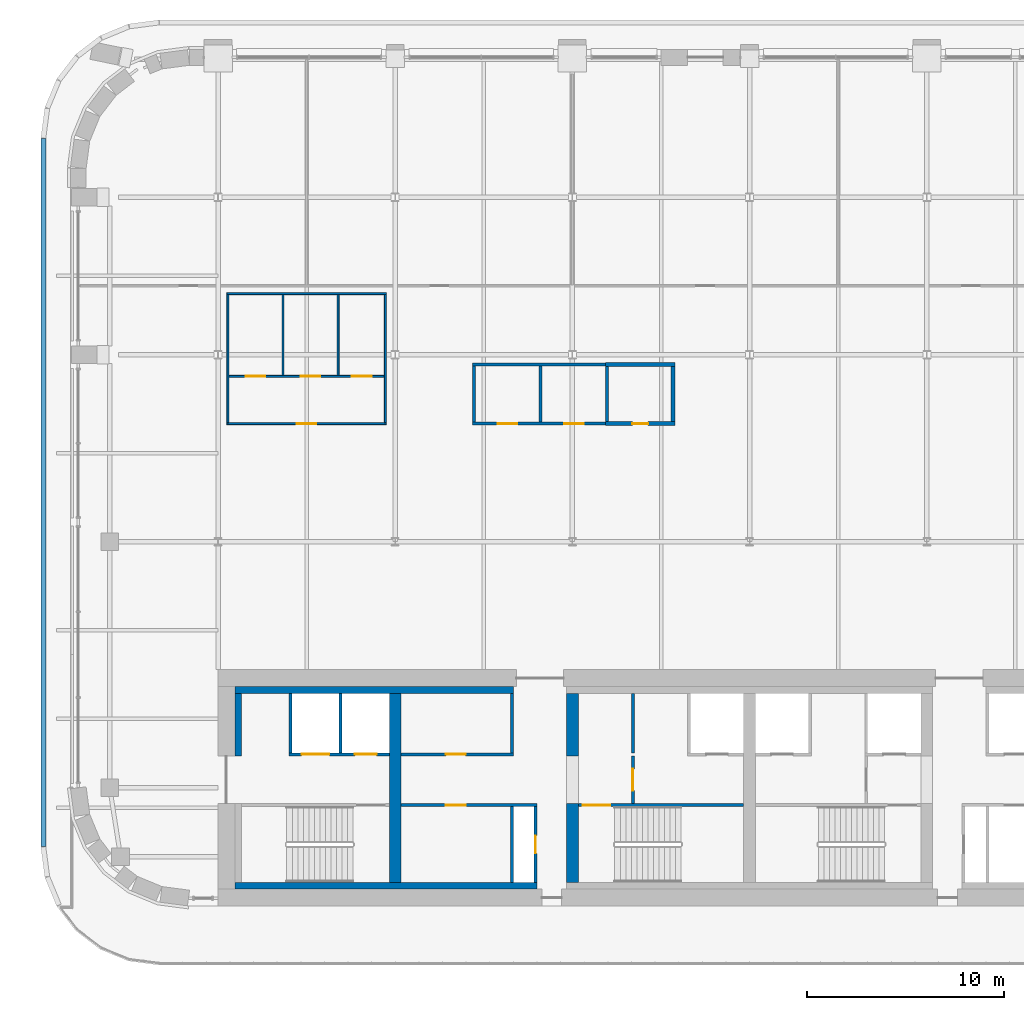
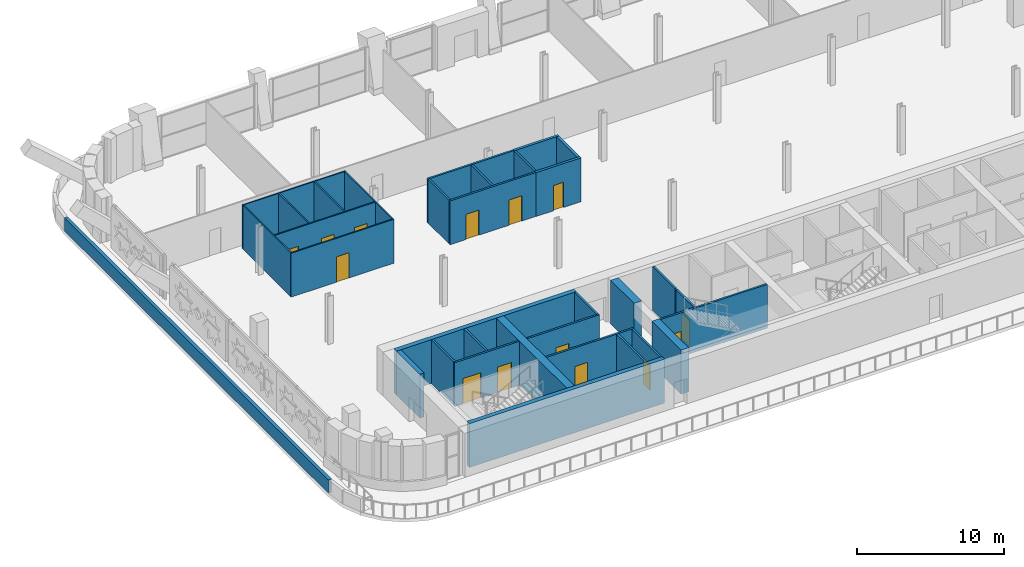
# One storey, part 13 of 23: 33 walls, 14 doors, 14 openings.
"""IFC4 building model written with IfcOpenShell, lengths in metres."""

from ifc_helpers import new_model, si_unit, direction, frame, frame_2d, origin, place, context, subcontext, project, spatial, rectangle, extrude, material, layer, layer_set, type_object, element, fill, save


model = new_model("IFC4")

# Units and contexts
model_context = context("Model", 3, precision=1e-05, world=origin(), true_north=direction((0.0, 1.0)))
body_context = subcontext(model_context, "Body", "Model", "MODEL_VIEW")
ifc_project = project(units=[si_unit("LENGTHUNIT", "METRE"), si_unit("AREAUNIT", "SQUARE_METRE"), si_unit("VOLUMEUNIT", "CUBIC_METRE"), si_unit("PLANEANGLEUNIT", "RADIAN"), si_unit("MASSUNIT", "GRAM", prefix="KILO")], contexts=[model_context])

# Site, building, storey
site_placement = place(None, origin())
site = spatial("IfcSite", under=ifc_project, at=site_placement, CompositionType="ELEMENT")
building_placement = place(site_placement, origin())
building = spatial("IfcBuilding", under=site, at=building_placement, Name="Zellij Exchange Tower", CompositionType="ELEMENT")
storey_placement = place(building_placement, frame((0.0, 0.0, 212.5)))
storey = spatial("IfcBuildingStorey", under=building, at=storey_placement, Name="L49", CompositionType="ELEMENT", Elevation=212.5)

# Walls
ifc_material_1 = material(Name="Concrete C60/75", Category="concrete")
ifc_layer_1 = layer(ifc_material_1, 0.60009765625)
ifc_layer_set_1 = layer_set([ifc_layer_1], Name="Concrete C60/75")
wall_type_1 = type_object("IfcWallType", Name="CORE-CW 600 C60/75", PredefinedType="SHEAR", material=ifc_layer_set_1)
wall_1_placement = place(storey_placement, frame((-18.0, -12.800048828125, 0.0), z_axis=(0.0, 0.0, 1.0), x_axis=(0.0, 1.0, 0.0)))
element("IfcWall", 1, at=wall_1_placement, inside=storey, type_object=wall_type_1, Name="Core cross wall x -18 L49", PredefinedType="SHEAR", context=body_context, shape_type="SweptSolid", body=[
    extrude(rectangle(XDim=9.60009765625, YDim=0.60009765625, at=frame_2d((4.800048828125, 0.0))), origin(), (0.0, 0.0, 1.0), 3.64990234375),
])
wall_2_placement = place(storey_placement, frame((-9.0, -12.800048828125, 0.0), z_axis=(0.0, 0.0, 1.0), x_axis=(0.0, 1.0, 0.0)))
element("IfcWall", 2, at=wall_2_placement, inside=storey, type_object=wall_type_1, Name="Core cross wall pier x -9 a L49", PredefinedType="SHEAR", context=body_context, shape_type="SweptSolid", body=[
    extrude(rectangle(XDim=4.0, YDim=0.60009765625, at=frame_2d((2.0, 0.0))), origin(), (0.0, 0.0, 1.0), 3.64990234375),
])
wall_3_placement = place(storey_placement, frame((-9.0, -6.375, 0.0), z_axis=(0.0, 0.0, 1.0), x_axis=(0.0, 1.0, 0.0)))
element("IfcWall", 3, at=wall_3_placement, inside=storey, type_object=wall_type_1, Name="Core cross wall pier x -9 b L49", PredefinedType="SHEAR", context=body_context, shape_type="SweptSolid", body=[
    extrude(rectangle(XDim=3.175048828125, YDim=0.60009765625, at=frame_2d((1.58740234375, 0.0))), origin(), (0.0, 0.0, 1.0), 3.64990234375),
])
ifc_material_2 = material(Name="Concrete C30/37", Category="concrete")
ifc_layer_2 = layer(ifc_material_2, 0.35009765625)
ifc_layer_set_2 = layer_set([ifc_layer_2], Name="Concrete C30/37")
wall_type_2 = type_object("IfcWallType", Name="CORE-LW 350 C30/37", PredefinedType="SHEAR", material=ifc_layer_set_2)
wall_4_placement = place(storey_placement, frame((-26.14990234375, -3.02490234375, 0.0), z_axis=(0.0, 0.0, 1.0), x_axis=(1.0, 0.0, 0.0)))
element("IfcWall", 4, at=wall_4_placement, inside=storey, type_object=wall_type_2, Name="Core wall lining front.0 L49", PredefinedType="SHEAR", context=body_context, shape_type="SweptSolid", body=[
    extrude(rectangle(XDim=14.14990234375, YDim=0.35009765625, at=frame_2d((7.074951171875, 0.0))), origin(), (0.0, 0.0, 1.0), 3.64990234375),
])
wall_5_placement = place(storey_placement, frame((-26.14990234375, -12.97509765625, 0.0), z_axis=(0.0, 0.0, 1.0), x_axis=(1.0, 0.0, 0.0)))
element("IfcWall", 5, at=wall_5_placement, inside=storey, type_object=wall_type_2, Name="Core wall lining rear.0 L49", PredefinedType="SHEAR", context=body_context, shape_type="SweptSolid", body=[
    extrude(rectangle(XDim=15.349853515625, YDim=0.35009765625, at=frame_2d((7.6748046875, 0.0))), origin(), (0.0, 0.0, 1.0), 3.64990234375),
])
wall_6_placement = place(storey_placement, frame((-25.97509765625, -6.375, 0.0), z_axis=(0.0, 0.0, 1.0), x_axis=(0.0, 1.0, 0.0)))
element("IfcWall", 6, at=wall_6_placement, inside=storey, type_object=wall_type_2, Name="Core wall lining end w.1 L49", PredefinedType="SHEAR", context=body_context, shape_type="SweptSolid", body=[
    extrude(rectangle(XDim=3.175048828125, YDim=0.35009765625, at=frame_2d((1.58740234375, 0.0))), origin(), (0.0, 0.0, 1.0), 3.64990234375),
])

# Wall, opening, door
ifc_material_3 = material(Name="Gypsum shaft wall system")
ifc_layer_3 = layer(ifc_material_3, 0.14990234375)
ifc_layer_set_3 = layer_set([ifc_layer_3], Name="Gypsum shaft wall system")
wall_type_3 = type_object("IfcWallType", Name="CORE-PW 150 Firefighting lobby wall", PredefinedType="PARTITIONING", material=ifc_layer_set_3)
wall_7_placement = place(storey_placement, frame((-5.925048828125, -8.800048828125, 0.0), z_axis=(0.0, 0.0, 1.0), x_axis=(0.0, 1.0, 0.0)))
wall_7 = element("IfcWall", 7, at=wall_7_placement, inside=storey, type_object=wall_type_3, Name="Firefighting lobby wall L49", PredefinedType="PARTITIONING", context=body_context, shape_type="SweptSolid", body=[
    extrude(rectangle(XDim=2.425048828125, YDim=0.14990234375, at=frame_2d((1.21240234375, 0.0))), origin(), (0.0, 0.0, 1.0), 3.64990234375),
])
opening_1_placement = place(wall_7_placement, frame((0.662109375, 0.0, 0.0)))
opening_1 = element("IfcOpeningElement", 8, at=opening_1_placement, cuts=wall_7, Name="Opening CA-26.11", PredefinedType="OPENING", context=body_context, shape_type="SweptSolid", body=[
    extrude(rectangle(XDim=1.10009765625, YDim=2.10009765625, at=frame_2d((0.550048828125, 1.050048828125))), frame((0.0, 0.0869140625, 0.0), z_axis=(0.0, -1.0, 0.0), x_axis=(1.0, 0.0, 0.0)), (0.0, 0.0, 1.0), 0.173828125),
])
ifc_material_4 = material(Name="Hollow metal fire door")
door_type_1 = type_object("IfcDoorType", Name="CORE-D F Firefighting lobby door 1100x2100 1 HR", OperationType="NOTDEFINED", PredefinedType="DOOR", material=ifc_material_4)
door_1_placement = place(opening_1_placement, origin())
door_1 = element("IfcDoor", 9, at=door_1_placement, inside=storey, type_object=door_type_1, Name="Firefighting lobby door CA-26.11", OperationType="SINGLE_SWING_LEFT", OverallHeight=2.10009765625, OverallWidth=1.10009765625, PredefinedType="DOOR", context=body_context, shape_type="SweptSolid", body=[
    extrude(rectangle(XDim=1.10009765625, YDim=2.10009765625, at=frame_2d((0.550048828125, 1.050048828125))), frame((0.0, 0.02490234375, 0.0), z_axis=(0.0, -1.0, 0.0), x_axis=(1.0, 0.0, 0.0)), (0.0, 0.0, 1.0), 0.050048828125),
])
fill(opening_1, door_1)

# Walls
ifc_material_5 = material(Name="Gypsum board partition")
ifc_layer_4 = layer(ifc_material_5, 0.14990234375)
ifc_layer_set_4 = layer_set([ifc_layer_4], Name="Gypsum board partition")
wall_type_4 = type_object("IfcWallType", Name="CORE-PW 150 Lift lobby wall", PredefinedType="PARTITIONING", material=ifc_layer_set_4)
for number, where, z_axis, x_axis, name in (
    (10, (-12.074951171875, -6.22509765625, 0.0), (0.0, 0.0, 1.0), (0.0, 1.0, 0.0), "Lift lobby wall L49"),
    (11, (-5.925048828125, -6.22509765625, 0.0), (0.0, 0.0, 1.0), (0.0, 1.0, 0.0), "Lift lobby wall L49"),
):
    element("IfcWall", number, at=place(storey_placement, frame(where, z_axis=z_axis, x_axis=x_axis)), inside=storey, type_object=wall_type_4, Name=name, PredefinedType="PARTITIONING", context=body_context, shape_type="SweptSolid", body=[
        extrude(rectangle(XDim=3.025146484375, YDim=0.14990234375, at=frame_2d((1.5126953125, 0.0))), origin(), (0.0, 0.0, 1.0), 3.64990234375),
    ])

# Wall, opening, door
wall_8_placement = place(storey_placement, frame((-10.875, -12.800048828125, 0.0), z_axis=(0.0, 0.0, 1.0), x_axis=(0.0, 1.0, 0.0)))
wall_8 = element("IfcWall", 12, at=wall_8_placement, inside=storey, type_object=wall_type_4, Name="Lift lobby wall L49", PredefinedType="PARTITIONING", context=body_context, shape_type="SweptSolid", body=[
    extrude(rectangle(XDim=3.85009765625, YDim=0.14990234375, at=frame_2d((1.925048828125, 0.0))), origin(), (0.0, 0.0, 1.0), 3.64990234375),
])
opening_2_placement = place(wall_8_placement, frame((1.47509765625, 0.0, 0.0)))
opening_2 = element("IfcOpeningElement", 13, at=opening_2_placement, cuts=wall_8, Name="Opening CA-26.07", PredefinedType="OPENING", context=body_context, shape_type="SweptSolid", body=[
    extrude(rectangle(XDim=0.89990234375, YDim=2.10009765625, at=frame_2d((0.449951171875, 1.050048828125))), frame((0.0, 0.0869140625, 0.0), z_axis=(0.0, -1.0, 0.0), x_axis=(1.0, 0.0, 0.0)), (0.0, 0.0, 1.0), 0.173828125),
])
door_type_2 = type_object("IfcDoorType", Name="CORE-D RD Riser door 900x2100 1.5 HR", OperationType="NOTDEFINED", PredefinedType="DOOR", material=ifc_material_4)
door_2_placement = place(opening_2_placement, origin())
door_2 = element("IfcDoor", 14, at=door_2_placement, inside=storey, type_object=door_type_2, Name="Riser door CA-26.07", OperationType="SINGLE_SWING_RIGHT", OverallHeight=2.10009765625, OverallWidth=0.89990234375, PredefinedType="DOOR", context=body_context, shape_type="SweptSolid", body=[
    extrude(rectangle(XDim=0.89990234375, YDim=2.10009765625, at=frame_2d((0.449951171875, 1.050048828125))), frame((0.0, 0.02490234375, 0.0), z_axis=(0.0, -1.0, 0.0), x_axis=(1.0, 0.0, 0.0)), (0.0, 0.0, 1.0), 0.050048828125),
])
fill(opening_2, door_2)

# Wall
wall_9_placement = place(storey_placement, frame((-12.074951171875, -12.800048828125, 0.0), z_axis=(0.0, 0.0, 1.0), x_axis=(0.0, 1.0, 0.0)))
element("IfcWall", 15, at=wall_9_placement, inside=storey, type_object=wall_type_4, Name="Lift lobby wall L49", PredefinedType="PARTITIONING", context=body_context, shape_type="SweptSolid", body=[
    extrude(rectangle(XDim=3.85009765625, YDim=0.14990234375, at=frame_2d((1.925048828125, 0.0))), origin(), (0.0, 0.0, 1.0), 3.64990234375),
])

# Wall, opening, door
wall_10_placement = place(storey_placement, frame((-17.699951171875, -6.300048828125, 0.0), z_axis=(0.0, 0.0, 1.0), x_axis=(1.0, 0.0, 0.0)))
wall_10 = element("IfcWall", 16, at=wall_10_placement, inside=storey, type_object=wall_type_4, Name="Lift lobby wall L49", PredefinedType="PARTITIONING", context=body_context, shape_type="SweptSolid", body=[
    extrude(rectangle(XDim=5.699951171875, YDim=0.14990234375, at=frame_2d((2.85009765625, 0.0))), origin(), (0.0, 0.0, 1.0), 3.64990234375),
])
opening_3_placement = place(wall_10_placement, frame((2.27490234375, 0.0, 0.0)))
opening_3 = element("IfcOpeningElement", 17, at=opening_3_placement, cuts=wall_10, Name="Opening CA-26.06", PredefinedType="OPENING", context=body_context, shape_type="SweptSolid", body=[
    extrude(rectangle(XDim=1.0, YDim=2.10009765625, at=frame_2d((0.5, 1.050048828125))), frame((0.0, 0.0869140625, 0.0), z_axis=(0.0, -1.0, 0.0), x_axis=(1.0, 0.0, 0.0)), (0.0, 0.0, 1.0), 0.173828125),
])
door_type_3 = type_object("IfcDoorType", Name="CORE-D CD Core room door 1000x2100 1 HR", OperationType="NOTDEFINED", PredefinedType="DOOR", material=ifc_material_4)
door_3_placement = place(opening_3_placement, origin())
door_3 = element("IfcDoor", 18, at=door_3_placement, inside=storey, type_object=door_type_3, Name="Core room door CA-26.06", OperationType="SINGLE_SWING_LEFT", OverallHeight=2.10009765625, OverallWidth=1.0, PredefinedType="DOOR", context=body_context, shape_type="SweptSolid", body=[
    extrude(rectangle(XDim=1.0, YDim=2.10009765625, at=frame_2d((0.5, 1.050048828125))), frame((0.0, 0.02490234375, 0.0), z_axis=(0.0, -1.0, 0.0), x_axis=(1.0, 0.0, 0.0)), (0.0, 0.0, 1.0), 0.050048828125),
])
fill(opening_3, door_3)

wall_11_placement = place(storey_placement, frame((-17.699951171875, -8.875, 0.0), z_axis=(0.0, 0.0, 1.0), x_axis=(1.0, 0.0, 0.0)))
wall_11 = element("IfcWall", 19, at=wall_11_placement, inside=storey, type_object=wall_type_4, Name="Lift lobby wall L49", PredefinedType="PARTITIONING", context=body_context, shape_type="SweptSolid", body=[
    extrude(rectangle(XDim=6.89990234375, YDim=0.14990234375, at=frame_2d((3.449951171875, 0.0))), origin(), (0.0, 0.0, 1.0), 3.64990234375),
])
opening_4_placement = place(wall_11_placement, frame((2.27490234375, 0.0, 0.0)))
opening_4 = element("IfcOpeningElement", 20, at=opening_4_placement, cuts=wall_11, Name="Opening CA-26.05", PredefinedType="OPENING", context=body_context, shape_type="SweptSolid", body=[
    extrude(rectangle(XDim=1.0, YDim=2.10009765625, at=frame_2d((0.5, 1.050048828125))), frame((0.0, 0.0869140625, 0.0), z_axis=(0.0, -1.0, 0.0), x_axis=(1.0, 0.0, 0.0)), (0.0, 0.0, 1.0), 0.173828125),
])
door_4_placement = place(opening_4_placement, origin())
door_4 = element("IfcDoor", 21, at=door_4_placement, inside=storey, type_object=door_type_3, Name="Core room door CA-26.05", OperationType="SINGLE_SWING_RIGHT", OverallHeight=2.10009765625, OverallWidth=1.0, PredefinedType="DOOR", context=body_context, shape_type="SweptSolid", body=[
    extrude(rectangle(XDim=1.0, YDim=2.10009765625, at=frame_2d((0.5, 1.050048828125))), frame((0.0, 0.02490234375, 0.0), z_axis=(0.0, -1.0, 0.0), x_axis=(1.0, 0.0, 0.0)), (0.0, 0.0, 1.0), 0.050048828125),
])
fill(opening_4, door_4)

# Walls
ifc_layer_5 = layer(ifc_material_3, 0.14990234375)
ifc_layer_set_5 = layer_set([ifc_layer_5], Name="Gypsum shaft wall system")
wall_type_5 = type_object("IfcWallType", Name="CORE-PW 150 Lift shaft wall", PredefinedType="PARTITIONING", material=ifc_layer_set_5)
for number, where, z_axis, x_axis, name in (
    (22, (-20.77490234375, -6.22509765625, 0.0), (0.0, 0.0, 1.0), (0.0, 1.0, 0.0), "Lift shaft wall L49"),
    (23, (-23.324951171875, -6.22509765625, 0.0), (0.0, 0.0, 1.0), (0.0, 1.0, 0.0), "Lift shaft wall L49"),
):
    element("IfcWall", number, at=place(storey_placement, frame(where, z_axis=z_axis, x_axis=x_axis)), inside=storey, type_object=wall_type_5, Name=name, PredefinedType="PARTITIONING", context=body_context, shape_type="SweptSolid", body=[
        extrude(rectangle(XDim=3.025146484375, YDim=0.14990234375, at=frame_2d((1.5126953125, 0.0))), origin(), (0.0, 0.0, 1.0), 3.64990234375),
    ])

# Wall, openings, doors
wall_12_placement = place(storey_placement, frame((-23.39990234375, -6.300048828125, 0.0), z_axis=(0.0, 0.0, 1.0), x_axis=(1.0, 0.0, 0.0)))
wall_12 = element("IfcWall", 24, at=wall_12_placement, inside=storey, type_object=wall_type_5, Name="Lift shaft wall L49", PredefinedType="PARTITIONING", context=body_context, shape_type="SweptSolid", body=[
    extrude(rectangle(XDim=5.099853515625, YDim=0.14990234375, at=frame_2d((2.5498046875, 0.0))), origin(), (0.0, 0.0, 1.0), 3.64990234375),
])
opening_5_placement = place(wall_12_placement, frame((0.64990234375, 0.0, 0.0)))
opening_5 = element("IfcOpeningElement", 25, at=opening_5_placement, cuts=wall_12, Name="Opening CA-26.02", PredefinedType="OPENING", context=body_context, shape_type="SweptSolid", body=[
    extrude(rectangle(XDim=1.39990234375, YDim=2.10009765625, at=frame_2d((0.699951171875, 1.050048828125))), frame((0.0, 0.0869140625, 0.0), z_axis=(0.0, -1.0, 0.0), x_axis=(1.0, 0.0, 0.0)), (0.0, 0.0, 1.0), 0.173828125),
])
opening_6_placement = place(wall_12_placement, frame((3.35009765625, 0.0, 0.0)))
opening_6 = element("IfcOpeningElement", 26, at=opening_6_placement, cuts=wall_12, Name="Opening CA-26.03", PredefinedType="OPENING", context=body_context, shape_type="SweptSolid", body=[
    extrude(rectangle(XDim=1.10009765625, YDim=2.10009765625, at=frame_2d((0.550048828125, 1.050048828125))), frame((0.0, 0.0869140625, 0.0), z_axis=(0.0, -1.0, 0.0), x_axis=(1.0, 0.0, 0.0)), (0.0, 0.0, 1.0), 0.173828125),
])
door_type_4 = type_object("IfcDoorType", Name="CORE-D LD Lift landing door 1100x2100 1.5 HR", OperationType="NOTDEFINED", PredefinedType="DOOR", material=ifc_material_4)
door_5_placement = place(opening_6_placement, origin())
door_5 = element("IfcDoor", 27, at=door_5_placement, inside=storey, type_object=door_type_4, Name="Lift landing door CA-26.03", OperationType="SLIDING_TO_LEFT", OverallHeight=2.10009765625, OverallWidth=1.10009765625, PredefinedType="DOOR", context=body_context, shape_type="SweptSolid", body=[
    extrude(rectangle(XDim=1.10009765625, YDim=2.10009765625, at=frame_2d((0.550048828125, 1.050048828125))), frame((0.0, 0.02490234375, 0.0), z_axis=(0.0, -1.0, 0.0), x_axis=(1.0, 0.0, 0.0)), (0.0, 0.0, 1.0), 0.050048828125),
])
fill(opening_6, door_5)
door_type_5 = type_object("IfcDoorType", Name="CORE-D LD2 Service lift landing door 1400x2100 1.5 HR", OperationType="NOTDEFINED", PredefinedType="DOOR", material=ifc_material_4)
door_6_placement = place(opening_5_placement, origin())
door_6 = element("IfcDoor", 28, at=door_6_placement, inside=storey, type_object=door_type_5, Name="Service lift landing door CA-26.02", OperationType="SLIDING_TO_RIGHT", OverallHeight=2.10009765625, OverallWidth=1.39990234375, PredefinedType="DOOR", context=body_context, shape_type="SweptSolid", body=[
    extrude(rectangle(XDim=1.39990234375, YDim=2.10009765625, at=frame_2d((0.699951171875, 1.050048828125))), frame((0.0, 0.02490234375, 0.0), z_axis=(0.0, -1.0, 0.0), x_axis=(1.0, 0.0, 0.0)), (0.0, 0.0, 1.0), 0.050048828125),
])
fill(opening_5, door_6)

# Wall, opening, door
ifc_layer_6 = layer(ifc_material_1, 0.14990234375)
ifc_layer_set_6 = layer_set([ifc_layer_6], Name="Concrete C60/75")
wall_type_6 = type_object("IfcWallType", Name="CORE-SWS 150 C60/75", PredefinedType="SHEAR", material=ifc_layer_set_6)
wall_13_placement = place(storey_placement, frame((-8.699951171875, -8.875, 0.0), z_axis=(0.0, 0.0, 1.0), x_axis=(1.0, 0.0, 0.0)))
wall_13 = element("IfcWall", 29, at=wall_13_placement, inside=storey, type_object=wall_type_6, Name="Stair enclosure wall L49", PredefinedType="SHEAR", context=body_context, shape_type="SweptSolid", body=[
    extrude(rectangle(XDim=8.39990234375, YDim=0.14990234375, at=frame_2d((4.199951171875, 0.0))), origin(), (0.0, 0.0, 1.0), 3.64990234375),
])
opening_7_placement = place(wall_13_placement, frame((0.22509765625, 0.0, 0.0)))
opening_7 = element("IfcOpeningElement", 30, at=opening_7_placement, cuts=wall_13, Name="Opening CA-26.10", PredefinedType="OPENING", context=body_context, shape_type="SweptSolid", body=[
    extrude(rectangle(XDim=1.39990234375, YDim=2.10009765625, at=frame_2d((0.699951171875, 1.050048828125))), frame((0.0, 0.0869140625, 0.0), z_axis=(0.0, -1.0, 0.0), x_axis=(1.0, 0.0, 0.0)), (0.0, 0.0, 1.0), 0.173828125),
])
door_type_6 = type_object("IfcDoorType", Name="CORE-D SD Stair door 1400x2100 1.5 HR", OperationType="NOTDEFINED", PredefinedType="DOOR", material=ifc_material_4)
door_7_placement = place(opening_7_placement, origin())
door_7 = element("IfcDoor", 31, at=door_7_placement, inside=storey, type_object=door_type_6, Name="Stair door CA-26.10", OperationType="DOUBLE_DOOR_SINGLE_SWING", OverallHeight=2.10009765625, OverallWidth=1.39990234375, PredefinedType="DOOR", context=body_context, shape_type="SweptSolid", body=[
    extrude(rectangle(XDim=1.39990234375, YDim=2.10009765625, at=frame_2d((0.699951171875, 1.050048828125))), frame((0.0, 0.02490234375, 0.0), z_axis=(0.0, -1.0, 0.0), x_axis=(1.0, 0.0, 0.0)), (0.0, 0.0, 1.0), 0.050048828125),
])
fill(opening_7, door_7)

# Wall
ifc_material_6 = material(Name="Precast concrete C40/50", Category="concrete")
ifc_layer_7 = layer(ifc_material_6, 0.25)
ifc_layer_set_7 = layer_set([ifc_layer_7], Name="Precast concrete C40/50")
wall_type_7 = type_object("IfcWallType", Name="ENV-PR1 Parapet 250", PredefinedType="PARAPET", material=ifc_layer_set_7)
wall_14_placement = place(storey_placement, frame((-35.875, 24.983642578125, 0.0), z_axis=(0.0, 0.0, 1.0), x_axis=(0.0, -1.0, 0.0)))
element("IfcWall", 32, at=wall_14_placement, inside=storey, type_object=wall_type_7, Name="fac.par.L49.02.01.17", PredefinedType="PARAPET", context=body_context, shape_type="SweptSolid", body=[
    extrude(rectangle(XDim=35.96728515625, YDim=0.25, at=frame_2d((17.983642578125, 0.0))), origin(), (0.0, 0.0, 1.0), 1.10009765625),
])

# Wall, opening, door
ifc_material_7 = material(Name="Blockwork partition", Category="masonry")
ifc_layer_8 = layer(ifc_material_7, 0.199951171875)
ifc_layer_set_8 = layer_set([ifc_layer_8], Name="Blockwork partition")
wall_type_8 = type_object("IfcWallType", Name="FIT-BLOCKWORK-200", PredefinedType="PARTITIONING", material=ifc_layer_set_8)
wall_15_placement = place(storey_placement, frame((-7.324951171875, 10.5, 0.0), z_axis=(0.0, 0.0, 1.0), x_axis=(1.0, 0.0, 0.0)))
wall_15 = element("IfcWall", 33, at=wall_15_placement, inside=storey, type_object=wall_type_8, Name="FIT-BLOCKWORK-200 007", PredefinedType="PARTITIONING", context=body_context, shape_type="SweptSolid", body=[
    extrude(rectangle(XDim=3.544921875, YDim=0.199951171875, at=frame_2d((1.7724609375, 0.0))), origin(), (0.0, 0.0, 1.0), 3.64990234375),
])
opening_8_placement = place(wall_15_placement, frame((1.375, 0.0, 0.0)))
opening_8 = element("IfcOpeningElement", 34, at=opening_8_placement, cuts=wall_15, Name="Opening SL49.04", PredefinedType="OPENING", context=body_context, shape_type="SweptSolid", body=[
    extrude(rectangle(XDim=0.800048828125, YDim=2.10009765625, at=frame_2d((0.39990234375, 1.050048828125))), frame((0.0, 0.11181640625, 0.0), z_axis=(0.0, -1.0, 0.0), x_axis=(1.0, 0.0, 0.0)), (0.0, 0.0, 1.0), 0.223876953125),
])
ifc_material_8 = material(Name="Timber door set", Category="wood")
door_type_7 = type_object("IfcDoorType", Name="FIT-D6-SERVICE-800X2100", OperationType="SINGLE_SWING_LEFT", PredefinedType="DOOR", material=ifc_material_8)
door_8_placement = place(opening_8_placement, origin())
door_8 = element("IfcDoor", 35, at=door_8_placement, inside=storey, type_object=door_type_7, Name="Door SL49.04", OperationType="SINGLE_SWING_LEFT", OverallHeight=2.10009765625, OverallWidth=0.800048828125, PredefinedType="DOOR", context=body_context, shape_type="SweptSolid", body=[
    extrude(rectangle(XDim=0.800048828125, YDim=2.10009765625, at=frame_2d((0.39990234375, 1.050048828125))), frame((0.0, 0.02490234375, 0.0), z_axis=(0.0, -1.0, 0.0), x_axis=(1.0, 0.0, 0.0)), (0.0, 0.0, 1.0), 0.050048828125),
])
fill(opening_8, door_8)

# Walls
wall_16_placement = place(storey_placement, frame((-3.8798828125, 10.60009765625, 0.0), z_axis=(0.0, 0.0, 1.0), x_axis=(0.0, 1.0, 0.0)))
element("IfcWall", 36, at=wall_16_placement, inside=storey, type_object=wall_type_8, Name="FIT-BLOCKWORK-200 009", PredefinedType="PARTITIONING", context=body_context, shape_type="SweptSolid", body=[
    extrude(rectangle(XDim=2.7998046875, YDim=0.199951171875, at=frame_2d((1.39990234375, 0.0))), origin(), (0.0, 0.0, 1.0), 3.64990234375),
])
wall_17_placement = place(storey_placement, frame((-7.324951171875, 13.5, 0.0), z_axis=(0.0, 0.0, 1.0), x_axis=(1.0, 0.0, 0.0)))
element("IfcWall", 37, at=wall_17_placement, inside=storey, type_object=wall_type_8, Name="FIT-BLOCKWORK-200 014", PredefinedType="PARTITIONING", context=body_context, shape_type="SweptSolid", body=[
    extrude(rectangle(XDim=3.544921875, YDim=0.199951171875, at=frame_2d((1.7724609375, 0.0))), origin(), (0.0, 0.0, 1.0), 3.64990234375),
])

# Wall, opening, door
ifc_material_9 = material(Name="Gypsum board partition on steel studs", Category="steel")
ifc_layer_9 = layer(ifc_material_9, 0.10009765625)
ifc_layer_set_9 = layer_set([ifc_layer_9], Name="Gypsum board partition on steel studs")
wall_type_9 = type_object("IfcWallType", Name="FIT-PARTITION-100", PredefinedType="PARTITIONING", material=ifc_layer_set_9)
wall_18_placement = place(storey_placement, frame((-26.550048828125, 10.5, 0.0), z_axis=(0.0, 0.0, 1.0), x_axis=(1.0, 0.0, 0.0)))
wall_18 = element("IfcWall", 38, at=wall_18_placement, inside=storey, type_object=wall_type_9, Name="FIT-PARTITION-100 001", PredefinedType="PARTITIONING", context=body_context, shape_type="SweptSolid", body=[
    extrude(rectangle(XDim=8.10009765625, YDim=0.10009765625, at=frame_2d((4.050048828125, 0.0))), origin(), (0.0, 0.0, 1.0), 3.64990234375),
])
opening_9_placement = place(wall_18_placement, frame((3.550048828125, 0.0, 0.0)))
opening_9 = element("IfcOpeningElement", 39, at=opening_9_placement, cuts=wall_18, Name="Opening SL49.01", PredefinedType="OPENING", context=body_context, shape_type="SweptSolid", body=[
    extrude(rectangle(XDim=1.0, YDim=2.10009765625, at=frame_2d((0.5, 1.050048828125))), frame((0.0, 0.06201171875, 0.0), z_axis=(0.0, -1.0, 0.0), x_axis=(1.0, 0.0, 0.0)), (0.0, 0.0, 1.0), 0.1240234375),
])
door_type_8 = type_object("IfcDoorType", Name="FIT-D2-WIDE-1000X2100", OperationType="SINGLE_SWING_LEFT", PredefinedType="DOOR", material=ifc_material_8)
door_9_placement = place(opening_9_placement, origin())
door_9 = element("IfcDoor", 40, at=door_9_placement, inside=storey, type_object=door_type_8, Name="Door SL49.01", OperationType="SINGLE_SWING_RIGHT", OverallHeight=2.10009765625, OverallWidth=1.0, PredefinedType="DOOR", context=body_context, shape_type="SweptSolid", body=[
    extrude(rectangle(XDim=1.0, YDim=2.10009765625, at=frame_2d((0.5, 1.050048828125))), frame((0.0, 0.02490234375, 0.0), z_axis=(0.0, -1.0, 0.0), x_axis=(1.0, 0.0, 0.0)), (0.0, 0.0, 1.0), 0.050048828125),
])
fill(opening_9, door_9)

# Walls
for number, where, z_axis, x_axis, name in (
    (41, (-26.5, 10.550048828125, 0.0), (0.0, 0.0, 1.0), (0.0, 1.0, 0.0), "FIT-PARTITION-100 002"),
    (42, (-18.5, 10.550048828125, 0.0), (0.0, 0.0, 1.0), (0.0, 1.0, 0.0), "FIT-PARTITION-100 003"),
):
    element("IfcWall", number, at=place(storey_placement, frame(where, z_axis=z_axis, x_axis=x_axis)), inside=storey, type_object=wall_type_9, Name=name, PredefinedType="PARTITIONING", context=body_context, shape_type="SweptSolid", body=[
        extrude(rectangle(XDim=6.5, YDim=0.10009765625, at=frame_2d((3.25, 0.0))), origin(), (0.0, 0.0, 1.0), 3.64990234375),
    ])

# Wall, openings, doors
wall_19_placement = place(storey_placement, frame((-26.449951171875, 12.89990234375, 0.0), z_axis=(0.0, 0.0, 1.0), x_axis=(1.0, 0.0, 0.0)))
wall_19 = element("IfcWall", 43, at=wall_19_placement, inside=storey, type_object=wall_type_9, Name="FIT-PARTITION-100 010", PredefinedType="PARTITIONING", context=body_context, shape_type="SweptSolid", body=[
    extrude(rectangle(XDim=7.89990234375, YDim=0.10009765625, at=frame_2d((3.949951171875, 0.0))), origin(), (0.0, 0.0, 1.0), 3.64990234375),
])
opening_10_placement = place(wall_19_placement, frame((0.85009765625, 0.0, 0.0)))
opening_10 = element("IfcOpeningElement", 44, at=opening_10_placement, cuts=wall_19, Name="Opening SL49.05", PredefinedType="OPENING", context=body_context, shape_type="SweptSolid", body=[
    extrude(rectangle(XDim=1.0, YDim=2.10009765625, at=frame_2d((0.5, 1.050048828125))), frame((0.0, 0.06201171875, 0.0), z_axis=(0.0, -1.0, 0.0), x_axis=(1.0, 0.0, 0.0)), (0.0, 0.0, 1.0), 0.1240234375),
])
opening_11_placement = place(wall_19_placement, frame((3.64990234375, 0.0, 0.0)))
opening_11 = element("IfcOpeningElement", 45, at=opening_11_placement, cuts=wall_19, Name="Opening SL49.06", PredefinedType="OPENING", context=body_context, shape_type="SweptSolid", body=[
    extrude(rectangle(XDim=1.0, YDim=2.10009765625, at=frame_2d((0.5, 1.050048828125))), frame((0.0, 0.06201171875, 0.0), z_axis=(0.0, -1.0, 0.0), x_axis=(1.0, 0.0, 0.0)), (0.0, 0.0, 1.0), 0.1240234375),
])
opening_12_placement = place(wall_19_placement, frame((6.25, 0.0, 0.0)))
opening_12 = element("IfcOpeningElement", 46, at=opening_12_placement, cuts=wall_19, Name="Opening SL49.07", PredefinedType="OPENING", context=body_context, shape_type="SweptSolid", body=[
    extrude(rectangle(XDim=1.0, YDim=2.10009765625, at=frame_2d((0.5, 1.050048828125))), frame((0.0, 0.06201171875, 0.0), z_axis=(0.0, -1.0, 0.0), x_axis=(1.0, 0.0, 0.0)), (0.0, 0.0, 1.0), 0.1240234375),
])
door_10_placement = place(opening_10_placement, origin())
door_10 = element("IfcDoor", 47, at=door_10_placement, inside=storey, type_object=door_type_8, Name="Door SL49.05", OperationType="SINGLE_SWING_RIGHT", OverallHeight=2.10009765625, OverallWidth=1.0, PredefinedType="DOOR", context=body_context, shape_type="SweptSolid", body=[
    extrude(rectangle(XDim=1.0, YDim=2.10009765625, at=frame_2d((0.5, 1.050048828125))), frame((0.0, 0.02490234375, 0.0), z_axis=(0.0, -1.0, 0.0), x_axis=(1.0, 0.0, 0.0)), (0.0, 0.0, 1.0), 0.050048828125),
])
fill(opening_10, door_10)
door_11_placement = place(opening_11_placement, origin())
door_11 = element("IfcDoor", 48, at=door_11_placement, inside=storey, type_object=door_type_8, Name="Door SL49.06", OperationType="SINGLE_SWING_RIGHT", OverallHeight=2.10009765625, OverallWidth=1.0, PredefinedType="DOOR", context=body_context, shape_type="SweptSolid", body=[
    extrude(rectangle(XDim=1.0, YDim=2.10009765625, at=frame_2d((0.5, 1.050048828125))), frame((0.0, 0.02490234375, 0.0), z_axis=(0.0, -1.0, 0.0), x_axis=(1.0, 0.0, 0.0)), (0.0, 0.0, 1.0), 0.050048828125),
])
fill(opening_11, door_11)
door_12_placement = place(opening_12_placement, origin())
door_12 = element("IfcDoor", 49, at=door_12_placement, inside=storey, type_object=door_type_8, Name="Door SL49.07", OperationType="SINGLE_SWING_RIGHT", OverallHeight=2.10009765625, OverallWidth=1.0, PredefinedType="DOOR", context=body_context, shape_type="SweptSolid", body=[
    extrude(rectangle(XDim=1.0, YDim=2.10009765625, at=frame_2d((0.5, 1.050048828125))), frame((0.0, 0.02490234375, 0.0), z_axis=(0.0, -1.0, 0.0), x_axis=(1.0, 0.0, 0.0)), (0.0, 0.0, 1.0), 0.050048828125),
])
fill(opening_12, door_12)

# Walls
for number, where, z_axis, x_axis, name in (
    (50, (-23.699951171875, 12.949951171875, 0.0), (0.0, 0.0, 1.0), (0.0, 1.0, 0.0), "FIT-PARTITION-100 011"),
    (51, (-20.89990234375, 12.949951171875, 0.0), (0.0, 0.0, 1.0), (0.0, 1.0, 0.0), "FIT-PARTITION-100 012"),
):
    element("IfcWall", number, at=place(storey_placement, frame(where, z_axis=z_axis, x_axis=x_axis)), inside=storey, type_object=wall_type_9, Name=name, PredefinedType="PARTITIONING", context=body_context, shape_type="SweptSolid", body=[
        extrude(rectangle(XDim=4.10009765625, YDim=0.10009765625, at=frame_2d((2.050048828125, 0.0))), origin(), (0.0, 0.0, 1.0), 3.64990234375),
    ])
wall_20_placement = place(storey_placement, frame((-26.550048828125, 17.10009765625, 0.0), z_axis=(0.0, 0.0, 1.0), x_axis=(1.0, 0.0, 0.0)))
element("IfcWall", 52, at=wall_20_placement, inside=storey, type_object=wall_type_9, Name="FIT-PARTITION-100 015", PredefinedType="PARTITIONING", context=body_context, shape_type="SweptSolid", body=[
    extrude(rectangle(XDim=8.10009765625, YDim=0.10009765625, at=frame_2d((4.050048828125, 0.0))), origin(), (0.0, 0.0, 1.0), 3.64990234375),
])

# Wall, openings, doors
ifc_material_10 = material(Name="Gypsum board shaft-wall partition", Category="gypsum")
ifc_layer_10 = layer(ifc_material_10, 0.14990234375)
ifc_layer_set_10 = layer_set([ifc_layer_10], Name="Gypsum board shaft-wall partition")
wall_type_10 = type_object("IfcWallType", Name="FIT-PARTITION-150-EI60", PredefinedType="PARTITIONING", material=ifc_layer_set_10)
wall_21_placement = place(storey_placement, frame((-14.074951171875, 10.5, 0.0), z_axis=(0.0, 0.0, 1.0), x_axis=(1.0, 0.0, 0.0)))
wall_21 = element("IfcWall", 53, at=wall_21_placement, inside=storey, type_object=wall_type_10, Name="FIT-PARTITION-150-EI60 004", PredefinedType="PARTITIONING", context=body_context, shape_type="SweptSolid", body=[
    extrude(rectangle(XDim=6.89990234375, YDim=0.14990234375, at=frame_2d((3.449951171875, 0.0))), origin(), (0.0, 0.0, 1.0), 3.64990234375),
])
opening_13_placement = place(wall_21_placement, frame((1.27490234375, 0.0, 0.0)))
opening_13 = element("IfcOpeningElement", 54, at=opening_13_placement, cuts=wall_21, Name="Opening SL49.02", PredefinedType="OPENING", context=body_context, shape_type="SweptSolid", body=[
    extrude(rectangle(XDim=1.0, YDim=2.10009765625, at=frame_2d((0.5, 1.050048828125))), frame((0.0, 0.0869140625, 0.0), z_axis=(0.0, -1.0, 0.0), x_axis=(1.0, 0.0, 0.0)), (0.0, 0.0, 1.0), 0.173828125),
])
opening_14_placement = place(wall_21_placement, frame((4.64990234375, 0.0, 0.0)))
opening_14 = element("IfcOpeningElement", 55, at=opening_14_placement, cuts=wall_21, Name="Opening SL49.03", PredefinedType="OPENING", context=body_context, shape_type="SweptSolid", body=[
    extrude(rectangle(XDim=1.0, YDim=2.10009765625, at=frame_2d((0.5, 1.050048828125))), frame((0.0, 0.0869140625, 0.0), z_axis=(0.0, -1.0, 0.0), x_axis=(1.0, 0.0, 0.0)), (0.0, 0.0, 1.0), 0.173828125),
])
ifc_material_11 = material(Name="Steel fire door set", Category="steel")
door_type_9 = type_object("IfcDoorType", Name="FIT-D4-FIRE-1000X2100", OperationType="SINGLE_SWING_LEFT", PredefinedType="DOOR", material=ifc_material_11)
door_13_placement = place(opening_13_placement, origin())
door_13 = element("IfcDoor", 56, at=door_13_placement, inside=storey, type_object=door_type_9, Name="Door SL49.02", OperationType="SINGLE_SWING_RIGHT", OverallHeight=2.10009765625, OverallWidth=1.0, PredefinedType="DOOR", context=body_context, shape_type="SweptSolid", body=[
    extrude(rectangle(XDim=1.0, YDim=2.10009765625, at=frame_2d((0.5, 1.050048828125))), frame((0.0, 0.02490234375, 0.0), z_axis=(0.0, -1.0, 0.0), x_axis=(1.0, 0.0, 0.0)), (0.0, 0.0, 1.0), 0.050048828125),
])
fill(opening_13, door_13)
door_14_placement = place(opening_14_placement, origin())
door_14 = element("IfcDoor", 57, at=door_14_placement, inside=storey, type_object=door_type_9, Name="Door SL49.03", OperationType="SINGLE_SWING_RIGHT", OverallHeight=2.10009765625, OverallWidth=1.0, PredefinedType="DOOR", context=body_context, shape_type="SweptSolid", body=[
    extrude(rectangle(XDim=1.0, YDim=2.10009765625, at=frame_2d((0.5, 1.050048828125))), frame((0.0, 0.02490234375, 0.0), z_axis=(0.0, -1.0, 0.0), x_axis=(1.0, 0.0, 0.0)), (0.0, 0.0, 1.0), 0.050048828125),
])
fill(opening_14, door_14)

# Walls
for number, where, z_axis, x_axis, name in (
    (58, (-14.0, 10.574951171875, 0.0), (0.0, 0.0, 1.0), (0.0, 1.0, 0.0), "FIT-PARTITION-150-EI60 005"),
    (59, (-10.6201171875, 10.574951171875, 0.0), (0.0, 0.0, 1.0), (0.0, 1.0, 0.0), "FIT-PARTITION-150-EI60 006"),
):
    element("IfcWall", number, at=place(storey_placement, frame(where, z_axis=z_axis, x_axis=x_axis)), inside=storey, type_object=wall_type_10, Name=name, PredefinedType="PARTITIONING", context=body_context, shape_type="SweptSolid", body=[
        extrude(rectangle(XDim=2.85009765625, YDim=0.14990234375, at=frame_2d((1.425048828125, 0.0))), origin(), (0.0, 0.0, 1.0), 3.64990234375),
    ])
wall_22_placement = place(storey_placement, frame((-7.25, 10.60009765625, 0.0), z_axis=(0.0, 0.0, 1.0), x_axis=(0.0, 1.0, 0.0)))
element("IfcWall", 60, at=wall_22_placement, inside=storey, type_object=wall_type_10, Name="FIT-PARTITION-150-EI60 008", PredefinedType="PARTITIONING", context=body_context, shape_type="SweptSolid", body=[
    extrude(rectangle(XDim=2.7998046875, YDim=0.14990234375, at=frame_2d((1.39990234375, 0.0))), origin(), (0.0, 0.0, 1.0), 3.64990234375),
])
wall_23_placement = place(storey_placement, frame((-14.074951171875, 13.5, 0.0), z_axis=(0.0, 0.0, 1.0), x_axis=(1.0, 0.0, 0.0)))
element("IfcWall", 61, at=wall_23_placement, inside=storey, type_object=wall_type_10, Name="FIT-PARTITION-150-EI60 013", PredefinedType="PARTITIONING", context=body_context, shape_type="SweptSolid", body=[
    extrude(rectangle(XDim=6.89990234375, YDim=0.14990234375, at=frame_2d((3.449951171875, 0.0))), origin(), (0.0, 0.0, 1.0), 3.64990234375),
])

save(model, "model.ifc")
